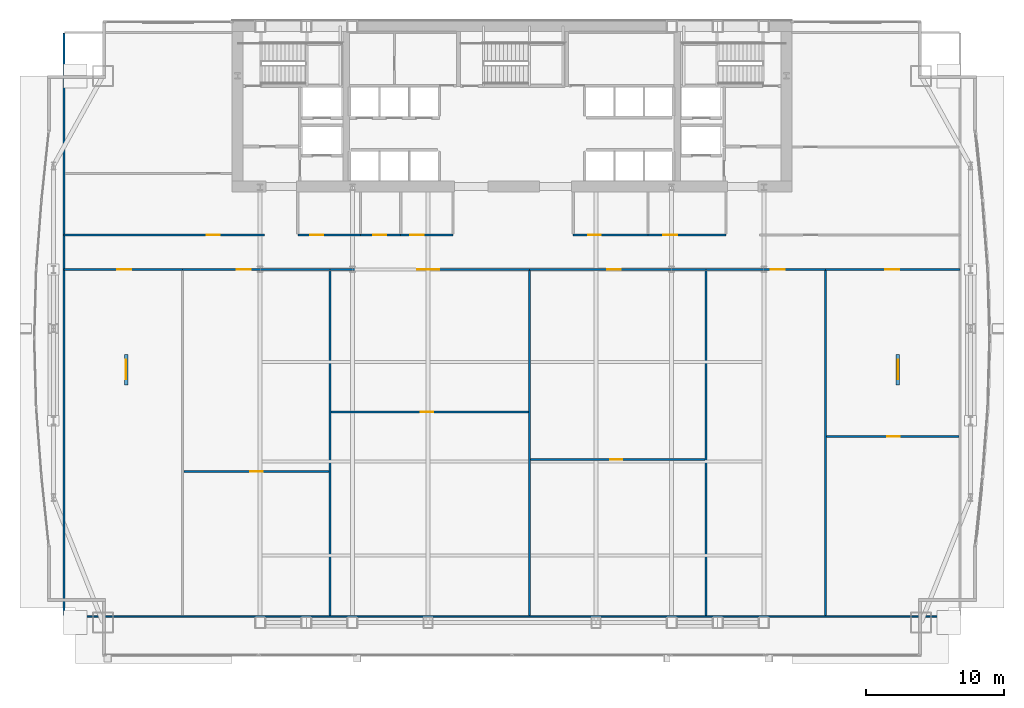
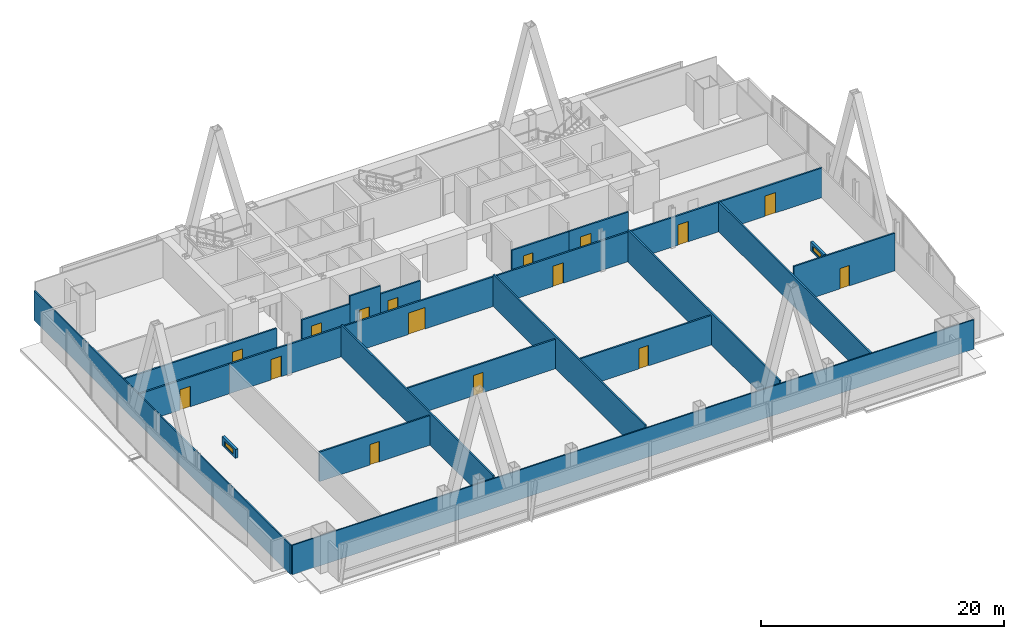
# One storey, part 27 of 32: 24 walls, 16 doors, 2 windows, 18 openings.
"""IFC4 building model written with IfcOpenShell, lengths in metres."""

import ifcopenshell
import ifcopenshell.guid

model = None  # the IFC model being written
_history = None  # IfcOwnerHistory: only IFC2X3 demands one
_inside = {}  # id of a spatial element -> (the spatial element, [elements in it])
_under = {}  # id of a project, library or spatial element -> (it, [spatial elements below it])
_declared = {}  # id of a project -> (the project, [libraries it declares])
_typed = {}  # id of a type object -> (the type object, [elements of that type])
_made_of = {}  # id of a material, layer set ... -> (it, [elements and type objects made of it])


def new_model(schema):
    """Start an empty IFC model of exactly this schema.

    Asked for "IFC4X3", IfcOpenShell would pick the latest addendum, in which some entities
    have other attributes; the version numbers below select the first issue.
    IFC2X3 requires an IfcOwnerHistory on every rooted entity: one is made here for all.
    """
    global model, _history
    if schema == "IFC4X3":
        model = ifcopenshell.file(schema_version=(4, 3, 0, 0))
    else:
        model = ifcopenshell.file(schema=schema)
    _inside.clear()
    _under.clear()
    _declared.clear()
    _typed.clear()
    _made_of.clear()
    _history = None
    if model.schema == "IFC2X3":
        org = make("IfcOrganization", Name="unknown")
        user = make(
            "IfcPersonAndOrganization",
            ThePerson=make("IfcPerson", FamilyName="unknown"),
            TheOrganization=org,
        )
        app = make(
            "IfcApplication",
            ApplicationDeveloper=org,
            Version="unknown",
            ApplicationFullName="unknown",
            ApplicationIdentifier="unknown",
        )
        _history = make(
            "IfcOwnerHistory",
            OwningUser=user,
            OwningApplication=app,
            ChangeAction="ADDED",
            CreationDate=0,
        )
    return model


def make(cls, **values):
    """One entity of the class cls with the attributes given. An attribute that is None is left unset."""
    return model.create_entity(
        cls, **{name: value for name, value in values.items() if value is not None}
    )


def rooted(cls, **values):
    """An entity with a GlobalId (a new one), such as an element, a storey or a relation."""
    return make(cls, GlobalId=ifcopenshell.guid.new(), OwnerHistory=_history, **values)


def si_unit(unit_type, name, prefix=None):
    """IfcSIUnit, for example si_unit("LENGTHUNIT", "METRE", prefix="MILLI")."""
    return make("IfcSIUnit", UnitType=unit_type, Prefix=prefix, Name=name)


def assignment(units):
    """IfcUnitAssignment: the units of a project."""
    return None if units is None else make("IfcUnitAssignment", Units=units)


def point(xyz):
    """IfcCartesianPoint."""
    return None if xyz is None else make("IfcCartesianPoint", Coordinates=xyz)


def direction(xyz):
    """IfcDirection."""
    return None if xyz is None else make("IfcDirection", DirectionRatios=xyz)


def frame(location, z_axis=None, x_axis=None):
    """IfcAxis2Placement3D, a coordinate frame: its origin and axes. An axis left out is left unset."""
    return make(
        "IfcAxis2Placement3D",
        Location=point(location),
        Axis=direction(z_axis),
        RefDirection=direction(x_axis),
    )


def frame_2d(location, x_axis=None):
    """IfcAxis2Placement2D, a coordinate frame in the plane: its origin and x axis."""
    return make(
        "IfcAxis2Placement2D", Location=point(location), RefDirection=direction(x_axis)
    )


def origin():
    """The frame at (0, 0, 0) with its axes left unset."""
    return frame((0.0, 0.0, 0.0))


def place(relative_to, where):
    """IfcLocalPlacement: puts the frame where relative to a parent placement (None: the world)."""
    return make(
        "IfcLocalPlacement", PlacementRelTo=relative_to, RelativePlacement=where
    )


def context(
    kind, dimensions, precision=None, world=None, true_north=None, identifier=None
):
    """IfcGeometricRepresentationContext, for example the 3D "Model" context."""
    return make(
        "IfcGeometricRepresentationContext",
        ContextIdentifier=identifier,
        ContextType=kind,
        CoordinateSpaceDimension=dimensions,
        Precision=precision,
        WorldCoordinateSystem=world,
        TrueNorth=true_north,
    )


def subcontext(parent, identifier, kind, view, scale=None):
    """IfcGeometricRepresentationSubContext, for example "Body" below "Model"."""
    return make(
        "IfcGeometricRepresentationSubContext",
        ContextIdentifier=identifier,
        ContextType=kind,
        ParentContext=parent,
        TargetScale=scale,
        TargetView=view,
    )


def project(units=None, contexts=None):
    """IfcProject with its units and contexts."""
    return rooted(
        "IfcProject",
        Name="project",
        RepresentationContexts=contexts,
        UnitsInContext=assignment(units),
    )


def spatial(cls, under=None, at=None, **own):
    """A site, building, storey or space (cls), placed at a placement, below another one or the project."""
    s = rooted(cls, ObjectPlacement=at, **own)
    if under is not None:
        _under.setdefault(under.id(), (under, []))[1].append(s)
    return s


def profile(cls, at=None, kind="AREA", **sizes):
    """A parametric profile (cls). Its sizes go by their IFC names, for example OverallWidth=200.0."""
    return make(cls, ProfileType=kind, Position=at, **sizes)


def rectangle(**sizes):
    """IfcRectangleProfileDef."""
    return profile("IfcRectangleProfileDef", **sizes)


def extrude(swept, where, along, depth):
    """IfcExtrudedAreaSolid: the profile swept, set in the frame where, extruded along a direction by depth."""
    return make(
        "IfcExtrudedAreaSolid",
        SweptArea=swept,
        Position=where,
        ExtrudedDirection=direction(along),
        Depth=depth,
    )


def shape(context_of_items, identifier, shape_type, items):
    """IfcShapeRepresentation: the items that make up one representation, for example the "Body"."""
    return make(
        "IfcShapeRepresentation",
        ContextOfItems=context_of_items,
        RepresentationIdentifier=identifier,
        RepresentationType=shape_type,
        Items=items,
    )


def material(Name=None, Category=None):
    """IfcMaterial."""
    return make("IfcMaterial", Name=Name, Category=Category)


def layer(
    of_material, thickness, ventilated=None, Name=None, Category=None, Priority=None
):
    """IfcMaterialLayer: one layer of a wall or slab, of a material (None: an air gap)."""
    return make(
        "IfcMaterialLayer",
        Material=of_material,
        LayerThickness=thickness,
        IsVentilated=ventilated,
        Name=Name,
        Category=Category,
        Priority=Priority,
    )


def layer_set(layers, Name=None):
    """IfcMaterialLayerSet."""
    return make("IfcMaterialLayerSet", MaterialLayers=layers, LayerSetName=Name)


def made_of(thing, what):
    """Note that an element or type object is made of a material, layer set ...; save() writes the relation."""
    if what is not None:
        _made_of.setdefault(what.id(), (what, []))[1].append(thing)
    return thing


def type_object(cls, material=None, **own):
    """A type object (cls), such as IfcWallType, which elements share."""
    return made_of(rooted(cls, **own), material)


def element(
    cls,
    number,
    at=None,
    inside=None,
    cuts=None,
    type_object=None,
    material=None,
    context=None,
    identifier="Body",
    shape_type=None,
    held_by="IfcProductDefinitionShape",
    body=None,
    shapes=None,
    **own,
):
    """One element of the class cls, such as IfcWall. Its Tag is "e" and its number.

    at: its placement. inside: the storey or other place that contains it. cuts: it is an
    opening in that element (IfcRelVoidsElement). A single representation is given by context,
    identifier, shape_type and body (its items); several are given by shapes. held_by: the class
    of the entity that holds the representations. save() writes the other relations.
    """
    e = rooted(cls, Tag="e%d" % number, ObjectPlacement=at, **own)
    if body is not None:
        shapes = [shape(context, identifier, shape_type, body)]
    if shapes is not None:
        e.Representation = make(held_by, Representations=shapes)
    if inside is not None:
        _inside.setdefault(inside.id(), (inside, []))[1].append(e)
    if cuts is not None:
        rooted(
            "IfcRelVoidsElement", RelatingBuildingElement=cuts, RelatedOpeningElement=e
        )
    if type_object is not None:
        _typed.setdefault(type_object.id(), (type_object, []))[1].append(e)
    return made_of(e, material)


def fill(opening, filler):
    """IfcRelFillsElement: the door or window that sits in an opening."""
    return rooted(
        "IfcRelFillsElement",
        RelatingOpeningElement=opening,
        RelatedBuildingElement=filler,
    )


def aggregate(whole, parts):
    """IfcRelAggregates: a whole, such as a stair, and the parts it consists of."""
    return rooted("IfcRelAggregates", RelatingObject=whole, RelatedObjects=parts)


def save(model, path):
    """Write the relations noted so far, then the file.

    IfcRelAggregates (storeys below a building ...), IfcRelContainedInSpatialStructure (elements
    in a storey), IfcRelDefinesByType, IfcRelAssociatesMaterial and IfcRelDeclares: one each for
    every whole, place, type object, material and project.
    """
    for whole, parts in _under.values():
        aggregate(whole, parts)
    for where, things in _inside.values():
        rooted(
            "IfcRelContainedInSpatialStructure",
            RelatedElements=things,
            RelatingStructure=where,
        )
    for kind, things in _typed.values():
        rooted("IfcRelDefinesByType", RelatedObjects=things, RelatingType=kind)
    for what, things in _made_of.values():
        rooted("IfcRelAssociatesMaterial", RelatedObjects=things, RelatingMaterial=what)
    for by, libraries in _declared.values():
        rooted("IfcRelDeclares", RelatingContext=by, RelatedDefinitions=libraries)
    model.write(path)


model = new_model("IFC4")

# Units and contexts
model_context = context("Model", 3, precision=1e-05, world=origin(), true_north=direction((0.0, 1.0)))
body_context = subcontext(model_context, "Body", "Model", "MODEL_VIEW")
ifc_project = project(units=[si_unit("LENGTHUNIT", "METRE"), si_unit("AREAUNIT", "SQUARE_METRE"), si_unit("VOLUMEUNIT", "CUBIC_METRE"), si_unit("PLANEANGLEUNIT", "RADIAN"), si_unit("MASSUNIT", "GRAM", prefix="KILO")], contexts=[model_context])

# Site, building, storey
site_placement = place(None, origin())
site = spatial("IfcSite", under=ifc_project, at=site_placement, CompositionType="ELEMENT")
building_placement = place(site_placement, origin())
building = spatial("IfcBuilding", under=site, at=building_placement, Name="Khoronbel Lancet Exchange", CompositionType="ELEMENT")
storey_placement = place(building_placement, frame((0.0, 0.0, 81.800048828125)))
storey = spatial("IfcBuildingStorey", under=building, at=storey_placement, Name="L19", CompositionType="ELEMENT", Elevation=81.800048828125)

# Wall, opening, window
ifc_material_1 = material(Name="Concrete C40/50", Category="concrete")
ifc_layer_1 = layer(ifc_material_1, 0.25, Name="Concrete C40/50")
ifc_layer_set_1 = layer_set([ifc_layer_1], Name="Concrete C40/50")
wall_type_1 = type_object("IfcWallType", Name="WL-PAR250", PredefinedType="PARAPET", material=ifc_layer_set_1)
wall_1_placement = place(storey_placement, frame((8.52490234375, 27.35009765625, 0.0), z_axis=(0.0, 0.0, 1.0), x_axis=(0.0, 1.0, 0.0)))
wall_1 = element("IfcWall", 1, at=wall_1_placement, inside=storey, type_object=wall_type_1, Name="Level L19 setback roof slab 1 smoke-ventilation skylight lantern curb", PredefinedType="PARAPET", context=body_context, shape_type="SweptSolid", body=[
    extrude(rectangle(XDim=2.199951171875, YDim=0.25, at=frame_2d((1.10009765625, 0.0))), origin(), (0.0, 0.0, 1.0), 0.8798828125),
])
opening_1_placement = place(wall_1_placement, frame((0.39990234375, 0.0, 0.159912109375)))
opening_1 = element("IfcOpeningElement", 2, at=opening_1_placement, cuts=wall_1, Name="Opening SK2", PredefinedType="OPENING", context=body_context, shape_type="SweptSolid", body=[
    extrude(rectangle(XDim=1.39990234375, YDim=0.5, at=frame_2d((0.699951171875, 0.25))), frame((0.0, 0.135009765625, 0.0), z_axis=(0.0, -1.0, 0.0), x_axis=(1.0, 0.0, 0.0)), (0.0, 0.0, 1.0), 0.27001953125),
])
ifc_material_2 = material(Name="Low-E Solar Control Insulating Glass", Category="glass")
window_type = type_object("IfcWindowType", Name="WIN-SK2", PartitioningType="SINGLE_PANEL", PredefinedType="SKYLIGHT", material=ifc_material_2)
window_1_placement = place(opening_1_placement, origin())
window_1 = element("IfcWindow", 3, at=window_1_placement, inside=storey, type_object=window_type, Name="Level L19 setback roof slab 1 smoke-ventilation clerestory skylight", OverallHeight=0.5, OverallWidth=1.39990234375, PartitioningType="SINGLE_PANEL", PredefinedType="SKYLIGHT", context=body_context, shape_type="SweptSolid", body=[
    extrude(rectangle(XDim=1.39990234375, YDim=0.5, at=frame_2d((0.699951171875, 0.25))), frame((0.0, 0.030029296875, 0.0), z_axis=(0.0, -1.0, 0.0), x_axis=(1.0, 0.0, 0.0)), (0.0, 0.0, 1.0), 0.06005859375),
])
fill(opening_1, window_1)

wall_2_placement = place(storey_placement, frame((64.375, 27.35009765625, 0.0), z_axis=(0.0, 0.0, 1.0), x_axis=(0.0, 1.0, 0.0)))
wall_2 = element("IfcWall", 4, at=wall_2_placement, inside=storey, type_object=wall_type_1, Name="Level L19 setback roof slab 2 smoke-ventilation skylight lantern curb", PredefinedType="PARAPET", context=body_context, shape_type="SweptSolid", body=[
    extrude(rectangle(XDim=2.199951171875, YDim=0.25, at=frame_2d((1.10009765625, 0.0))), origin(), (0.0, 0.0, 1.0), 0.8798828125),
])
opening_2_placement = place(wall_2_placement, frame((0.39990234375, 0.0, 0.159912109375)))
opening_2 = element("IfcOpeningElement", 5, at=opening_2_placement, cuts=wall_2, Name="Opening SK2", PredefinedType="OPENING", context=body_context, shape_type="SweptSolid", body=[
    extrude(rectangle(XDim=1.39990234375, YDim=0.5, at=frame_2d((0.699951171875, 0.25))), frame((0.0, 0.135009765625, 0.0), z_axis=(0.0, -1.0, 0.0), x_axis=(1.0, 0.0, 0.0)), (0.0, 0.0, 1.0), 0.27001953125),
])
window_2_placement = place(opening_2_placement, origin())
window_2 = element("IfcWindow", 6, at=window_2_placement, inside=storey, type_object=window_type, Name="Level L19 setback roof slab 2 smoke-ventilation clerestory skylight", OverallHeight=0.5, OverallWidth=1.39990234375, PartitioningType="SINGLE_PANEL", PredefinedType="SKYLIGHT", context=body_context, shape_type="SweptSolid", body=[
    extrude(rectangle(XDim=1.39990234375, YDim=0.5, at=frame_2d((0.699951171875, 0.25))), frame((0.0, 0.030029296875, 0.0), z_axis=(0.0, -1.0, 0.0), x_axis=(1.0, 0.0, 0.0)), (0.0, 0.0, 1.0), 0.06005859375),
])
fill(opening_2, window_2)

# Wall, opening, door
ifc_material_3 = material(Name="Acoustic Metal-Stud & Mineral-Wool Gypsum Partition 120 mm", Category="gypsum")
ifc_layer_2 = layer(ifc_material_3, 0.1201171875, Name="Acoustic Metal-Stud & Mineral-Wool Gypsum Partition 120 mm")
ifc_layer_set_2 = layer_set([ifc_layer_2], Name="Acoustic Metal-Stud & Mineral-Wool Gypsum Partition 120 mm")
wall_type_2 = type_object("IfcWallType", Name="WL-PRT120", PredefinedType="PARTITIONING", material=ifc_layer_set_2)
wall_3_placement = place(storey_placement, frame((12.702880859375, 21.072265625, 0.0), z_axis=(0.0, 0.0, 1.0), x_axis=(1.0, 0.0, 0.0)))
wall_3 = element("IfcWall", 7, at=wall_3_placement, inside=storey, type_object=wall_type_2, Name="Level L19 interior partition PW-Z1S-H2", PredefinedType="PARTITIONING", context=body_context, shape_type="SweptSolid", body=[
    extrude(rectangle(XDim=10.497802734375, YDim=0.14990234375, at=frame_2d((5.2490234375, 0.0))), origin(), (0.0, 0.0, 1.0), 2.969970703125),
])
opening_3_placement = place(wall_3_placement, frame((4.796142578125, 0.0, 0.0)))
opening_3 = element("IfcOpeningElement", 8, at=opening_3_placement, cuts=wall_3, Name="Opening D5", PredefinedType="OPENING", context=body_context, shape_type="SweptSolid", body=[
    extrude(rectangle(XDim=0.89990234375, YDim=2.050048828125, at=frame_2d((0.449951171875, 1.02490234375))), frame((0.0, 0.0849609375, 0.0), z_axis=(0.0, -1.0, 0.0), x_axis=(1.0, 0.0, 0.0)), (0.0, 0.0, 1.0), 0.169921875),
])
ifc_material_4 = material(Name="Acoustic Timber Pantry & Support Door", Category="wood")
door_type_1 = type_object("IfcDoorType", Name="DR-D5", OperationType="NOTDEFINED", PredefinedType="DOOR", material=ifc_material_4)
door_1_placement = place(opening_3_placement, origin())
door_1 = element("IfcDoor", 9, at=door_1_placement, inside=storey, type_object=door_type_1, Name="Z1S inner door 2 L19-1", OperationType="SINGLE_SWING_LEFT", OverallHeight=2.050048828125, OverallWidth=0.89990234375, PredefinedType="DOOR", context=body_context, shape_type="SweptSolid", body=[
    extrude(rectangle(XDim=0.89990234375, YDim=2.050048828125, at=frame_2d((0.449951171875, 1.02490234375))), frame((0.0, 0.02490234375, 0.0), z_axis=(0.0, -1.0, 0.0), x_axis=(1.0, 0.0, 0.0)), (0.0, 0.0, 1.0), 0.050048828125),
])
fill(opening_3, door_1)

wall_4_placement = place(storey_placement, frame((23.36083984375, 25.395263671875, 0.0), z_axis=(0.0, 0.0, 1.0), x_axis=(1.0, 0.0, 0.0)))
wall_4 = element("IfcWall", 10, at=wall_4_placement, inside=storey, type_object=wall_type_2, Name="Level L19 interior partition PW-Z1S-H3", PredefinedType="PARTITIONING", context=body_context, shape_type="SweptSolid", body=[
    extrude(rectangle(XDim=14.26806640625, YDim=0.14990234375, at=frame_2d((7.134033203125, 0.0))), origin(), (0.0, 0.0, 1.0), 2.969970703125),
])
opening_4_placement = place(wall_4_placement, frame((6.49267578125, 0.0, 0.0)))
opening_4 = element("IfcOpeningElement", 11, at=opening_4_placement, cuts=wall_4, Name="Opening D5", PredefinedType="OPENING", context=body_context, shape_type="SweptSolid", body=[
    extrude(rectangle(XDim=0.89990234375, YDim=2.050048828125, at=frame_2d((0.449951171875, 1.02490234375))), frame((0.0, 0.0849609375, 0.0), z_axis=(0.0, -1.0, 0.0), x_axis=(1.0, 0.0, 0.0)), (0.0, 0.0, 1.0), 0.169921875),
])
door_2_placement = place(opening_4_placement, origin())
door_2 = element("IfcDoor", 12, at=door_2_placement, inside=storey, type_object=door_type_1, Name="Z1S inner door 3 L19-1", OperationType="SINGLE_SWING_RIGHT", OverallHeight=2.050048828125, OverallWidth=0.89990234375, PredefinedType="DOOR", context=body_context, shape_type="SweptSolid", body=[
    extrude(rectangle(XDim=0.89990234375, YDim=2.050048828125, at=frame_2d((0.449951171875, 1.02490234375))), frame((0.0, 0.02490234375, 0.0), z_axis=(0.0, -1.0, 0.0), x_axis=(1.0, 0.0, 0.0)), (0.0, 0.0, 1.0), 0.050048828125),
])
fill(opening_4, door_2)

wall_5_placement = place(storey_placement, frame((37.7890625, 21.9404296875, 0.0), z_axis=(0.0, 0.0, 1.0), x_axis=(1.0, 0.0, 0.0)))
wall_5 = element("IfcWall", 13, at=wall_5_placement, inside=storey, type_object=wall_type_2, Name="Level L19 interior partition PW-Z1S-H4", PredefinedType="PARTITIONING", context=body_context, shape_type="SweptSolid", body=[
    extrude(rectangle(XDim=12.62939453125, YDim=0.14990234375, at=frame_2d((6.314697265625, 0.0))), origin(), (0.0, 0.0, 1.0), 2.969970703125),
])
opening_5_placement = place(wall_5_placement, frame((5.755126953125, 0.0, 0.0)))
opening_5 = element("IfcOpeningElement", 14, at=opening_5_placement, cuts=wall_5, Name="Opening D5", PredefinedType="OPENING", context=body_context, shape_type="SweptSolid", body=[
    extrude(rectangle(XDim=0.89990234375, YDim=2.050048828125, at=frame_2d((0.449951171875, 1.02490234375))), frame((0.0, 0.0849609375, 0.0), z_axis=(0.0, -1.0, 0.0), x_axis=(1.0, 0.0, 0.0)), (0.0, 0.0, 1.0), 0.169921875),
])
door_3_placement = place(opening_5_placement, origin())
door_3 = element("IfcDoor", 15, at=door_3_placement, inside=storey, type_object=door_type_1, Name="Z1S inner door 4 L19-1", OperationType="SINGLE_SWING_RIGHT", OverallHeight=2.050048828125, OverallWidth=0.89990234375, PredefinedType="DOOR", context=body_context, shape_type="SweptSolid", body=[
    extrude(rectangle(XDim=0.89990234375, YDim=2.050048828125, at=frame_2d((0.449951171875, 1.02490234375))), frame((0.0, 0.02490234375, 0.0), z_axis=(0.0, -1.0, 0.0), x_axis=(1.0, 0.0, 0.0)), (0.0, 0.0, 1.0), 0.050048828125),
])
fill(opening_5, door_3)

wall_6_placement = place(storey_placement, frame((59.211181640625, 23.60693359375, 0.0), z_axis=(0.0, 0.0, 1.0), x_axis=(1.0, 0.0, 0.0)))
wall_6 = element("IfcWall", 16, at=wall_6_placement, inside=storey, type_object=wall_type_2, Name="Level L19 interior partition PW-Z1S-H6", PredefinedType="PARTITIONING", context=body_context, shape_type="SweptSolid", body=[
    extrude(rectangle(XDim=9.59375, YDim=0.14990234375, at=frame_2d((4.796875, 0.0))), origin(), (0.0, 0.0, 1.0), 3.780029296875),
])
opening_6_placement = place(wall_6_placement, frame((4.38232421875, 0.0, 0.0)))
opening_6 = element("IfcOpeningElement", 17, at=opening_6_placement, cuts=wall_6, Name="Opening D5", PredefinedType="OPENING", context=body_context, shape_type="SweptSolid", body=[
    extrude(rectangle(XDim=0.89990234375, YDim=2.050048828125, at=frame_2d((0.449951171875, 1.02490234375))), frame((0.0, 0.0849609375, 0.0), z_axis=(0.0, -1.0, 0.0), x_axis=(1.0, 0.0, 0.0)), (0.0, 0.0, 1.0), 0.169921875),
])
door_4_placement = place(opening_6_placement, origin())
door_4 = element("IfcDoor", 18, at=door_4_placement, inside=storey, type_object=door_type_1, Name="Z1S inner door 6 L19-1", OperationType="SINGLE_SWING_LEFT", OverallHeight=2.050048828125, OverallWidth=0.89990234375, PredefinedType="DOOR", context=body_context, shape_type="SweptSolid", body=[
    extrude(rectangle(XDim=0.89990234375, YDim=2.050048828125, at=frame_2d((0.449951171875, 1.02490234375))), frame((0.0, 0.02490234375, 0.0), z_axis=(0.0, -1.0, 0.0), x_axis=(1.0, 0.0, 0.0)), (0.0, 0.0, 1.0), 0.050048828125),
])
fill(opening_6, door_4)

# Walls
wall_7_placement = place(storey_placement, frame((4.030029296875, 10.6650390625, 0.0), z_axis=(0.0, 0.0, 1.0), x_axis=(0.0, 1.0, 0.0)))
element("IfcWall", 19, at=wall_7_placement, inside=storey, type_object=wall_type_2, Name="Level L19 interior partition PW-LIN-W", PredefinedType="PARTITIONING", context=body_context, shape_type="SweptSolid", body=[
    extrude(rectangle(XDim=42.10986328125, YDim=0.1201171875, at=frame_2d((21.054931640625, 0.0))), origin(), (0.0, 0.0, 1.0), 2.969970703125),
])
wall_8_placement = place(storey_placement, frame((4.094970703125, 10.60009765625, 0.0), z_axis=(0.0, 0.0, 1.0), x_axis=(1.0, 0.0, 0.0)))
element("IfcWall", 20, at=wall_8_placement, inside=storey, type_object=wall_type_2, Name="Level L19 interior partition PW-LIN-S", PredefinedType="PARTITIONING", context=body_context, shape_type="SweptSolid", body=[
    extrude(rectangle(XDim=64.7099609375, YDim=0.1201171875, at=frame_2d((32.35498046875, 0.0))), origin(), (0.0, 0.0, 1.0), 2.969970703125),
])

# Wall, opening, door
ifc_material_5 = material(Name="Fire-Rated Twin-Stud Acoustic Gypsum Partition 150 mm", Category="gypsum")
ifc_layer_3 = layer(ifc_material_5, 0.14990234375, Name="Fire-Rated Twin-Stud Acoustic Gypsum Partition 150 mm")
ifc_layer_set_3 = layer_set([ifc_layer_3], Name="Fire-Rated Twin-Stud Acoustic Gypsum Partition 150 mm")
wall_type_3 = type_object("IfcWallType", Name="WL-PRT150C", PredefinedType="PARTITIONING", material=ifc_layer_set_3)
wall_9_placement = place(storey_placement, frame((20.949951171875, 38.199951171875, 0.0), z_axis=(0.0, 0.0, 1.0), x_axis=(1.0, 0.0, 0.0)))
wall_9 = element("IfcWall", 21, at=wall_9_placement, inside=storey, type_object=wall_type_3, Name="Level L19 interior partition PW-WC-S1", PredefinedType="PARTITIONING", context=body_context, shape_type="SweptSolid", body=[
    extrude(rectangle(XDim=4.550048828125, YDim=0.14990234375, at=frame_2d((2.27490234375, 0.0))), origin(), (0.0, 0.0, 1.0), 2.969970703125),
])
opening_7_placement = place(wall_9_placement, frame((0.89990234375, 0.0, 0.0)))
opening_7 = element("IfcOpeningElement", 22, at=opening_7_placement, cuts=wall_9, Name="Opening D4", PredefinedType="OPENING", context=body_context, shape_type="SweptSolid", body=[
    extrude(rectangle(XDim=0.949951171875, YDim=2.050048828125, at=frame_2d((0.47509765625, 1.02490234375))), frame((0.0, 0.0849609375, 0.0), z_axis=(0.0, -1.0, 0.0), x_axis=(1.0, 0.0, 0.0)), (0.0, 0.0, 1.0), 0.169921875),
])
ifc_material_6 = material(Name="Moisture-Resistant HPL Washroom Door", Category="wood")
door_type_2 = type_object("IfcDoorType", Name="DR-D4", OperationType="NOTDEFINED", PredefinedType="DOOR", material=ifc_material_6)
door_5_placement = place(opening_7_placement, origin())
door_5 = element("IfcDoor", 23, at=door_5_placement, inside=storey, type_object=door_type_2, Name="Male washroom door L19-1", OperationType="SINGLE_SWING_RIGHT", OverallHeight=2.050048828125, OverallWidth=0.949951171875, PredefinedType="DOOR", context=body_context, shape_type="SweptSolid", body=[
    extrude(rectangle(XDim=0.949951171875, YDim=2.050048828125, at=frame_2d((0.47509765625, 1.02490234375))), frame((0.0, 0.02490234375, 0.0), z_axis=(0.0, -1.0, 0.0), x_axis=(1.0, 0.0, 0.0)), (0.0, 0.0, 1.0), 0.050048828125),
])
fill(opening_7, door_5)

wall_10_placement = place(storey_placement, frame((25.5, 38.199951171875, 0.0), z_axis=(0.0, 0.0, 1.0), x_axis=(1.0, 0.0, 0.0)))
wall_10 = element("IfcWall", 24, at=wall_10_placement, inside=storey, type_object=wall_type_3, Name="Level L19 interior partition PW-WC-S2", PredefinedType="PARTITIONING", context=body_context, shape_type="SweptSolid", body=[
    extrude(rectangle(XDim=2.89990234375, YDim=0.14990234375, at=frame_2d((1.449951171875, 0.0))), origin(), (0.0, 0.0, 1.0), 3.780029296875),
])
opening_8_placement = place(wall_10_placement, frame((0.89990234375, 0.0, 0.0)))
opening_8 = element("IfcOpeningElement", 25, at=opening_8_placement, cuts=wall_10, Name="Opening D4", PredefinedType="OPENING", context=body_context, shape_type="SweptSolid", body=[
    extrude(rectangle(XDim=0.949951171875, YDim=2.050048828125, at=frame_2d((0.47509765625, 1.02490234375))), frame((0.0, 0.0849609375, 0.0), z_axis=(0.0, -1.0, 0.0), x_axis=(1.0, 0.0, 0.0)), (0.0, 0.0, 1.0), 0.169921875),
])
door_6_placement = place(opening_8_placement, origin())
door_6 = element("IfcDoor", 26, at=door_6_placement, inside=storey, type_object=door_type_2, Name="Female washroom door L19-1", OperationType="SINGLE_SWING_LEFT", OverallHeight=2.050048828125, OverallWidth=0.949951171875, PredefinedType="DOOR", context=body_context, shape_type="SweptSolid", body=[
    extrude(rectangle(XDim=0.949951171875, YDim=2.050048828125, at=frame_2d((0.47509765625, 1.02490234375))), frame((0.0, 0.02490234375, 0.0), z_axis=(0.0, -1.0, 0.0), x_axis=(1.0, 0.0, 0.0)), (0.0, 0.0, 1.0), 0.050048828125),
])
fill(opening_8, door_6)

wall_11_placement = place(storey_placement, frame((28.39990234375, 38.199951171875, 0.0), z_axis=(0.0, 0.0, 1.0), x_axis=(1.0, 0.0, 0.0)))
wall_11 = element("IfcWall", 27, at=wall_11_placement, inside=storey, type_object=wall_type_3, Name="Level L19 interior partition PW-WC-S3", PredefinedType="PARTITIONING", context=body_context, shape_type="SweptSolid", body=[
    extrude(rectangle(XDim=3.780029296875, YDim=0.14990234375, at=frame_2d((1.89013671875, 0.0))), origin(), (0.0, 0.0, 1.0), 2.969970703125),
])
opening_9_placement = place(wall_11_placement, frame((0.699951171875, 0.0, 0.0)))
opening_9 = element("IfcOpeningElement", 28, at=opening_9_placement, cuts=wall_11, Name="Opening D4", PredefinedType="OPENING", context=body_context, shape_type="SweptSolid", body=[
    extrude(rectangle(XDim=0.949951171875, YDim=2.050048828125, at=frame_2d((0.47509765625, 1.02490234375))), frame((0.0, 0.0849609375, 0.0), z_axis=(0.0, -1.0, 0.0), x_axis=(1.0, 0.0, 0.0)), (0.0, 0.0, 1.0), 0.169921875),
])
door_7_placement = place(opening_9_placement, origin())
door_7 = element("IfcDoor", 29, at=door_7_placement, inside=storey, type_object=door_type_2, Name="Accessible WC door L19-1", OperationType="SINGLE_SWING_RIGHT", OverallHeight=2.050048828125, OverallWidth=0.949951171875, PredefinedType="DOOR", context=body_context, shape_type="SweptSolid", body=[
    extrude(rectangle(XDim=0.949951171875, YDim=2.050048828125, at=frame_2d((0.47509765625, 1.02490234375))), frame((0.0, 0.02490234375, 0.0), z_axis=(0.0, -1.0, 0.0), x_axis=(1.0, 0.0, 0.0)), (0.0, 0.0, 1.0), 0.050048828125),
])
fill(opening_9, door_7)

wall_12_placement = place(storey_placement, frame((40.8798828125, 38.199951171875, 0.0), z_axis=(0.0, 0.0, 1.0), x_axis=(1.0, 0.0, 0.0)))
wall_12 = element("IfcWall", 30, at=wall_12_placement, inside=storey, type_object=wall_type_3, Name="Level L19 interior partition PW-NP-S1", PredefinedType="PARTITIONING", context=body_context, shape_type="SweptSolid", body=[
    extrude(rectangle(XDim=5.420166015625, YDim=0.14990234375, at=frame_2d((2.7099609375, 0.0))), origin(), (0.0, 0.0, 1.0), 2.969970703125),
])
opening_10_placement = place(wall_12_placement, frame((1.10009765625, 0.0, 0.0)))
opening_10 = element("IfcOpeningElement", 31, at=opening_10_placement, cuts=wall_12, Name="Opening D5", PredefinedType="OPENING", context=body_context, shape_type="SweptSolid", body=[
    extrude(rectangle(XDim=0.89990234375, YDim=2.050048828125, at=frame_2d((0.449951171875, 1.02490234375))), frame((0.0, 0.0849609375, 0.0), z_axis=(0.0, -1.0, 0.0), x_axis=(1.0, 0.0, 0.0)), (0.0, 0.0, 1.0), 0.169921875),
])
door_8_placement = place(opening_10_placement, origin())
door_8 = element("IfcDoor", 32, at=door_8_placement, inside=storey, type_object=door_type_1, Name="Floor refreshment pantry door L19-1", OperationType="SINGLE_SWING_LEFT", OverallHeight=2.050048828125, OverallWidth=0.89990234375, PredefinedType="DOOR", context=body_context, shape_type="SweptSolid", body=[
    extrude(rectangle(XDim=0.89990234375, YDim=2.050048828125, at=frame_2d((0.449951171875, 1.02490234375))), frame((0.0, 0.02490234375, 0.0), z_axis=(0.0, -1.0, 0.0), x_axis=(1.0, 0.0, 0.0)), (0.0, 0.0, 1.0), 0.050048828125),
])
fill(opening_10, door_8)

wall_13_placement = place(storey_placement, frame((46.300048828125, 38.199951171875, 0.0), z_axis=(0.0, 0.0, 1.0), x_axis=(1.0, 0.0, 0.0)))
wall_13 = element("IfcWall", 33, at=wall_13_placement, inside=storey, type_object=wall_type_3, Name="Level L19 interior partition PW-NP-S2", PredefinedType="PARTITIONING", context=body_context, shape_type="SweptSolid", body=[
    extrude(rectangle(XDim=5.64990234375, YDim=0.14990234375, at=frame_2d((2.824951171875, 0.0))), origin(), (0.0, 0.0, 1.0), 2.969970703125),
])
opening_11_placement = place(wall_13_placement, frame((1.10009765625, 0.0, 0.0)))
opening_11 = element("IfcOpeningElement", 34, at=opening_11_placement, cuts=wall_13, Name="Opening D2", PredefinedType="OPENING", context=body_context, shape_type="SweptSolid", body=[
    extrude(rectangle(XDim=1.0, YDim=2.050048828125, at=frame_2d((0.5, 1.02490234375))), frame((0.0, 0.0849609375, 0.0), z_axis=(0.0, -1.0, 0.0), x_axis=(1.0, 0.0, 0.0)), (0.0, 0.0, 1.0), 0.169921875),
])
ifc_material_7 = material(Name="Acoustic Veneered Timber & Bronze Frame Door", Category="wood")
door_type_3 = type_object("IfcDoorType", Name="DR-D2", OperationType="NOTDEFINED", PredefinedType="DOOR", material=ifc_material_7)
door_9_placement = place(opening_11_placement, origin())
door_9 = element("IfcDoor", 35, at=door_9_placement, inside=storey, type_object=door_type_3, Name="Floor store door L19-1", OperationType="SINGLE_SWING_RIGHT", OverallHeight=2.050048828125, OverallWidth=1.0, PredefinedType="DOOR", context=body_context, shape_type="SweptSolid", body=[
    extrude(rectangle(XDim=1.0, YDim=2.050048828125, at=frame_2d((0.5, 1.02490234375))), frame((0.0, 0.02490234375, 0.0), z_axis=(0.0, -1.0, 0.0), x_axis=(1.0, 0.0, 0.0)), (0.0, 0.0, 1.0), 0.050048828125),
])
fill(opening_11, door_9)

wall_14_placement = place(storey_placement, frame((4.030029296875, 38.199951171875, 0.0), z_axis=(0.0, 0.0, 1.0), x_axis=(1.0, 0.0, 0.0)))
wall_14 = element("IfcWall", 36, at=wall_14_placement, inside=storey, type_object=wall_type_3, Name="Level L19 interior partition PW-NW-S", PredefinedType="PARTITIONING", context=body_context, shape_type="SweptSolid", body=[
    extrude(rectangle(XDim=14.52001953125, YDim=0.14990234375, at=frame_2d((7.260009765625, 0.0))), origin(), (0.0, 0.0, 1.0), 2.969970703125),
])
opening_12_placement = place(wall_14_placement, frame((10.320068359375, 0.0, 0.0)))
opening_12 = element("IfcOpeningElement", 37, at=opening_12_placement, cuts=wall_14, Name="Opening D1", PredefinedType="OPENING", context=body_context, shape_type="SweptSolid", body=[
    extrude(rectangle(XDim=0.949951171875, YDim=2.050048828125, at=frame_2d((0.47509765625, 1.02490234375))), frame((0.0, 0.0849609375, 0.0), z_axis=(0.0, -1.0, 0.0), x_axis=(1.0, 0.0, 0.0)), (0.0, 0.0, 1.0), 0.169921875),
])
door_type_4 = type_object("IfcDoorType", Name="DR-D1", OperationType="NOTDEFINED", PredefinedType="DOOR", material=ifc_material_7)
door_10_placement = place(opening_12_placement, origin())
door_10 = element("IfcDoor", 38, at=door_10_placement, inside=storey, type_object=door_type_4, Name="NW corner room door L19-1", OperationType="SINGLE_SWING_LEFT", OverallHeight=2.050048828125, OverallWidth=0.949951171875, PredefinedType="DOOR", context=body_context, shape_type="SweptSolid", body=[
    extrude(rectangle(XDim=0.949951171875, YDim=2.050048828125, at=frame_2d((0.47509765625, 1.02490234375))), frame((0.0, 0.02490234375, 0.0), z_axis=(0.0, -1.0, 0.0), x_axis=(1.0, 0.0, 0.0)), (0.0, 0.0, 1.0), 0.050048828125),
])
fill(opening_12, door_10)

# Walls
for number, where, z_axis, x_axis, name in (
    (39, (23.28076171875, 10.6650390625, 0.0), (0.0, 0.0, 1.0), (0.0, 1.0, 0.0), "Level L19 interior partition PW-Z1S-V2"),
    (40, (37.708984375, 10.6650390625, 0.0), (0.0, 0.0, 1.0), (0.0, 1.0, 0.0), "Level L19 interior partition PW-Z1S-V3"),
    (41, (50.498291015625, 10.6650390625, 0.0), (0.0, 0.0, 1.0), (0.0, 1.0, 0.0), "Level L19 interior partition PW-Z1S-V4"),
):
    element("IfcWall", number, at=place(storey_placement, frame(where, z_axis=z_axis, x_axis=x_axis)), inside=storey, type_object=wall_type_3, Name=name, PredefinedType="PARTITIONING", context=body_context, shape_type="SweptSolid", body=[
        extrude(rectangle(XDim=24.949951171875, YDim=0.14990234375, at=frame_2d((12.47509765625, 0.0))), origin(), (0.0, 0.0, 1.0), 3.219970703125),
    ])
wall_15_placement = place(storey_placement, frame((59.13134765625, 10.6650390625, 0.0), z_axis=(0.0, 0.0, 1.0), x_axis=(0.0, 1.0, 0.0)))
element("IfcWall", 42, at=wall_15_placement, inside=storey, type_object=wall_type_3, Name="Level L19 interior partition PW-Z1S-V5", PredefinedType="PARTITIONING", context=body_context, shape_type="SweptSolid", body=[
    extrude(rectangle(XDim=24.949951171875, YDim=0.14990234375, at=frame_2d((12.47509765625, 0.0))), origin(), (0.0, 0.0, 1.0), 2.969970703125),
])

# Wall, opening, door
ifc_material_8 = material(Name="Fire-Rated Twin-Stud Acoustic Gypsum Partition 160 mm", Category="gypsum")
ifc_layer_4 = layer(ifc_material_8, 0.159912109375, Name="Fire-Rated Twin-Stud Acoustic Gypsum Partition 160 mm")
ifc_layer_set_4 = layer_set([ifc_layer_4], Name="Fire-Rated Twin-Stud Acoustic Gypsum Partition 160 mm")
wall_type_4 = type_object("IfcWallType", Name="WL-PRT160C", PredefinedType="PARTITIONING", material=ifc_layer_set_4)
wall_16_placement = place(storey_placement, frame((4.030029296875, 35.699951171875, 0.0), z_axis=(0.0, 0.0, 1.0), x_axis=(1.0, 0.0, 0.0)))
wall_16 = element("IfcWall", 43, at=wall_16_placement, inside=storey, type_object=wall_type_4, Name="Level L19 interior partition PW-Z1S-COR1", PredefinedType="PARTITIONING", context=body_context, shape_type="SweptSolid", body=[
    extrude(rectangle(XDim=8.5927734375, YDim=0.159912109375, at=frame_2d((4.29638671875, 0.0))), origin(), (0.0, 0.0, 1.0), 2.969970703125),
])
opening_13_placement = place(wall_16_placement, frame((3.85888671875, 0.0, 0.0)))
opening_13 = element("IfcOpeningElement", 44, at=opening_13_placement, cuts=wall_16, Name="Opening D2", PredefinedType="OPENING", context=body_context, shape_type="SweptSolid", body=[
    extrude(rectangle(XDim=1.0, YDim=2.050048828125, at=frame_2d((0.5, 1.02490234375))), frame((0.0, 0.08984375, 0.0), z_axis=(0.0, -1.0, 0.0), x_axis=(1.0, 0.0, 0.0)), (0.0, 0.0, 1.0), 0.179931640625),
])
door_11_placement = place(opening_13_placement, origin())
door_11 = element("IfcDoor", 45, at=door_11_placement, inside=storey, type_object=door_type_3, Name="Z1S bay 1 door L19-1", OperationType="SINGLE_SWING_LEFT", OverallHeight=2.050048828125, OverallWidth=1.0, PredefinedType="DOOR", context=body_context, shape_type="SweptSolid", body=[
    extrude(rectangle(XDim=1.0, YDim=2.050048828125, at=frame_2d((0.5, 1.02490234375))), frame((0.0, 0.02490234375, 0.0), z_axis=(0.0, -1.0, 0.0), x_axis=(1.0, 0.0, 0.0)), (0.0, 0.0, 1.0), 0.050048828125),
])
fill(opening_13, door_11)

wall_17_placement = place(storey_placement, frame((12.622802734375, 35.699951171875, 0.0), z_axis=(0.0, 0.0, 1.0), x_axis=(1.0, 0.0, 0.0)))
wall_17 = element("IfcWall", 46, at=wall_17_placement, inside=storey, type_object=wall_type_4, Name="Level L19 interior partition PW-Z1S-COR2", PredefinedType="PARTITIONING", context=body_context, shape_type="SweptSolid", body=[
    extrude(rectangle(XDim=10.657958984375, YDim=0.159912109375, at=frame_2d((5.3291015625, 0.0))), origin(), (0.0, 0.0, 1.0), 2.969970703125),
])
opening_14_placement = place(wall_17_placement, frame((3.92626953125, 0.0, 0.0)))
opening_14 = element("IfcOpeningElement", 47, at=opening_14_placement, cuts=wall_17, Name="Opening D2", PredefinedType="OPENING", context=body_context, shape_type="SweptSolid", body=[
    extrude(rectangle(XDim=1.0, YDim=2.050048828125, at=frame_2d((0.5, 1.02490234375))), frame((0.0, 0.08984375, 0.0), z_axis=(0.0, -1.0, 0.0), x_axis=(1.0, 0.0, 0.0)), (0.0, 0.0, 1.0), 0.179931640625),
])
door_12_placement = place(opening_14_placement, origin())
door_12 = element("IfcDoor", 48, at=door_12_placement, inside=storey, type_object=door_type_3, Name="Z1S bay 2 door L19-1", OperationType="SINGLE_SWING_RIGHT", OverallHeight=2.050048828125, OverallWidth=1.0, PredefinedType="DOOR", context=body_context, shape_type="SweptSolid", body=[
    extrude(rectangle(XDim=1.0, YDim=2.050048828125, at=frame_2d((0.5, 1.02490234375))), frame((0.0, 0.02490234375, 0.0), z_axis=(0.0, -1.0, 0.0), x_axis=(1.0, 0.0, 0.0)), (0.0, 0.0, 1.0), 0.050048828125),
])
fill(opening_14, door_12)

wall_18_placement = place(storey_placement, frame((23.28076171875, 35.699951171875, 0.0), z_axis=(0.0, 0.0, 1.0), x_axis=(1.0, 0.0, 0.0)))
wall_18 = element("IfcWall", 49, at=wall_18_placement, inside=storey, type_object=wall_type_4, Name="Level L19 interior partition PW-Z1S-COR3", PredefinedType="PARTITIONING", context=body_context, shape_type="SweptSolid", body=[
    extrude(rectangle(XDim=14.42822265625, YDim=0.159912109375, at=frame_2d((7.214111328125, 0.0))), origin(), (0.0, 0.0, 1.0), 2.969970703125),
])
opening_15_placement = place(wall_18_placement, frame((6.309814453125, 0.0, 0.0)))
opening_15 = element("IfcOpeningElement", 50, at=opening_15_placement, cuts=wall_18, Name="Opening D3", PredefinedType="OPENING", context=body_context, shape_type="SweptSolid", body=[
    extrude(rectangle(XDim=1.60009765625, YDim=2.14990234375, at=frame_2d((0.800048828125, 1.074951171875))), frame((0.0, 0.08984375, 0.0), z_axis=(0.0, -1.0, 0.0), x_axis=(1.0, 0.0, 0.0)), (0.0, 0.0, 1.0), 0.179931640625),
])
ifc_material_9 = material(Name="Glazed Bronze-Framed Double Suite Door", Category="aluminium")
door_type_5 = type_object("IfcDoorType", Name="DR-D3", OperationType="NOTDEFINED", PredefinedType="DOOR", material=ifc_material_9)
door_13_placement = place(opening_15_placement, origin())
door_13 = element("IfcDoor", 51, at=door_13_placement, inside=storey, type_object=door_type_5, Name="Z1S bay 3 door L19-1", OperationType="DOUBLE_DOOR_SINGLE_SWING", OverallHeight=2.14990234375, OverallWidth=1.60009765625, PredefinedType="DOOR", context=body_context, shape_type="SweptSolid", body=[
    extrude(rectangle(XDim=1.60009765625, YDim=2.14990234375, at=frame_2d((0.800048828125, 1.074951171875))), frame((0.0, 0.02490234375, 0.0), z_axis=(0.0, -1.0, 0.0), x_axis=(1.0, 0.0, 0.0)), (0.0, 0.0, 1.0), 0.050048828125),
])
fill(opening_15, door_13)

wall_19_placement = place(storey_placement, frame((37.708984375, 35.699951171875, 0.0), z_axis=(0.0, 0.0, 1.0), x_axis=(1.0, 0.0, 0.0)))
wall_19 = element("IfcWall", 52, at=wall_19_placement, inside=storey, type_object=wall_type_4, Name="Level L19 interior partition PW-Z1S-COR4", PredefinedType="PARTITIONING", context=body_context, shape_type="SweptSolid", body=[
    extrude(rectangle(XDim=12.789306640625, YDim=0.159912109375, at=frame_2d((6.39453125, 0.0))), origin(), (0.0, 0.0, 1.0), 2.969970703125),
])
opening_16_placement = place(wall_19_placement, frame((5.62158203125, 0.0, 0.0)))
opening_16 = element("IfcOpeningElement", 53, at=opening_16_placement, cuts=wall_19, Name="Opening D2", PredefinedType="OPENING", context=body_context, shape_type="SweptSolid", body=[
    extrude(rectangle(XDim=1.0, YDim=2.050048828125, at=frame_2d((0.5, 1.02490234375))), frame((0.0, 0.08984375, 0.0), z_axis=(0.0, -1.0, 0.0), x_axis=(1.0, 0.0, 0.0)), (0.0, 0.0, 1.0), 0.179931640625),
])
door_14_placement = place(opening_16_placement, origin())
door_14 = element("IfcDoor", 54, at=door_14_placement, inside=storey, type_object=door_type_3, Name="Z1S bay 4 door L19-1", OperationType="SINGLE_SWING_LEFT", OverallHeight=2.050048828125, OverallWidth=1.0, PredefinedType="DOOR", context=body_context, shape_type="SweptSolid", body=[
    extrude(rectangle(XDim=1.0, YDim=2.050048828125, at=frame_2d((0.5, 1.02490234375))), frame((0.0, 0.02490234375, 0.0), z_axis=(0.0, -1.0, 0.0), x_axis=(1.0, 0.0, 0.0)), (0.0, 0.0, 1.0), 0.050048828125),
])
fill(opening_16, door_14)

wall_20_placement = place(storey_placement, frame((50.498291015625, 35.699951171875, 0.0), z_axis=(0.0, 0.0, 1.0), x_axis=(1.0, 0.0, 0.0)))
wall_20 = element("IfcWall", 55, at=wall_20_placement, inside=storey, type_object=wall_type_4, Name="Level L19 interior partition PW-Z1S-COR5", PredefinedType="PARTITIONING", context=body_context, shape_type="SweptSolid", body=[
    extrude(rectangle(XDim=8.633056640625, YDim=0.159912109375, at=frame_2d((4.31640625, 0.0))), origin(), (0.0, 0.0, 1.0), 2.969970703125),
])
opening_17_placement = place(wall_20_placement, frame((4.67578125, 0.0, 0.0)))
opening_17 = element("IfcOpeningElement", 56, at=opening_17_placement, cuts=wall_20, Name="Opening D2", PredefinedType="OPENING", context=body_context, shape_type="SweptSolid", body=[
    extrude(rectangle(XDim=1.0, YDim=2.050048828125, at=frame_2d((0.5, 1.02490234375))), frame((0.0, 0.08984375, 0.0), z_axis=(0.0, -1.0, 0.0), x_axis=(1.0, 0.0, 0.0)), (0.0, 0.0, 1.0), 0.179931640625),
])
door_15_placement = place(opening_17_placement, origin())
door_15 = element("IfcDoor", 57, at=door_15_placement, inside=storey, type_object=door_type_3, Name="Z1S bay 5 door L19-1", OperationType="SINGLE_SWING_LEFT", OverallHeight=2.050048828125, OverallWidth=1.0, PredefinedType="DOOR", context=body_context, shape_type="SweptSolid", body=[
    extrude(rectangle(XDim=1.0, YDim=2.050048828125, at=frame_2d((0.5, 1.02490234375))), frame((0.0, 0.02490234375, 0.0), z_axis=(0.0, -1.0, 0.0), x_axis=(1.0, 0.0, 0.0)), (0.0, 0.0, 1.0), 0.050048828125),
])
fill(opening_17, door_15)

wall_21_placement = place(storey_placement, frame((59.13134765625, 35.699951171875, 0.0), z_axis=(0.0, 0.0, 1.0), x_axis=(1.0, 0.0, 0.0)))
wall_21 = element("IfcWall", 58, at=wall_21_placement, inside=storey, type_object=wall_type_4, Name="Level L19 interior partition PW-Z1S-COR6", PredefinedType="PARTITIONING", context=body_context, shape_type="SweptSolid", body=[
    extrude(rectangle(XDim=9.73876953125, YDim=0.159912109375, at=frame_2d((4.869384765625, 0.0))), origin(), (0.0, 0.0, 1.0), 2.969970703125),
])
opening_18_placement = place(wall_21_placement, frame((4.34033203125, 0.0, 0.0)))
opening_18 = element("IfcOpeningElement", 59, at=opening_18_placement, cuts=wall_21, Name="Opening D2", PredefinedType="OPENING", context=body_context, shape_type="SweptSolid", body=[
    extrude(rectangle(XDim=1.0, YDim=2.050048828125, at=frame_2d((0.5, 1.02490234375))), frame((0.0, 0.08984375, 0.0), z_axis=(0.0, -1.0, 0.0), x_axis=(1.0, 0.0, 0.0)), (0.0, 0.0, 1.0), 0.179931640625),
])
door_16_placement = place(opening_18_placement, origin())
door_16 = element("IfcDoor", 60, at=door_16_placement, inside=storey, type_object=door_type_3, Name="Z1S bay 6 door L19-1", OperationType="SINGLE_SWING_RIGHT", OverallHeight=2.050048828125, OverallWidth=1.0, PredefinedType="DOOR", context=body_context, shape_type="SweptSolid", body=[
    extrude(rectangle(XDim=1.0, YDim=2.050048828125, at=frame_2d((0.5, 1.02490234375))), frame((0.0, 0.02490234375, 0.0), z_axis=(0.0, -1.0, 0.0), x_axis=(1.0, 0.0, 0.0)), (0.0, 0.0, 1.0), 0.050048828125),
])
fill(opening_18, door_16)

save(model, "model.ifc")
